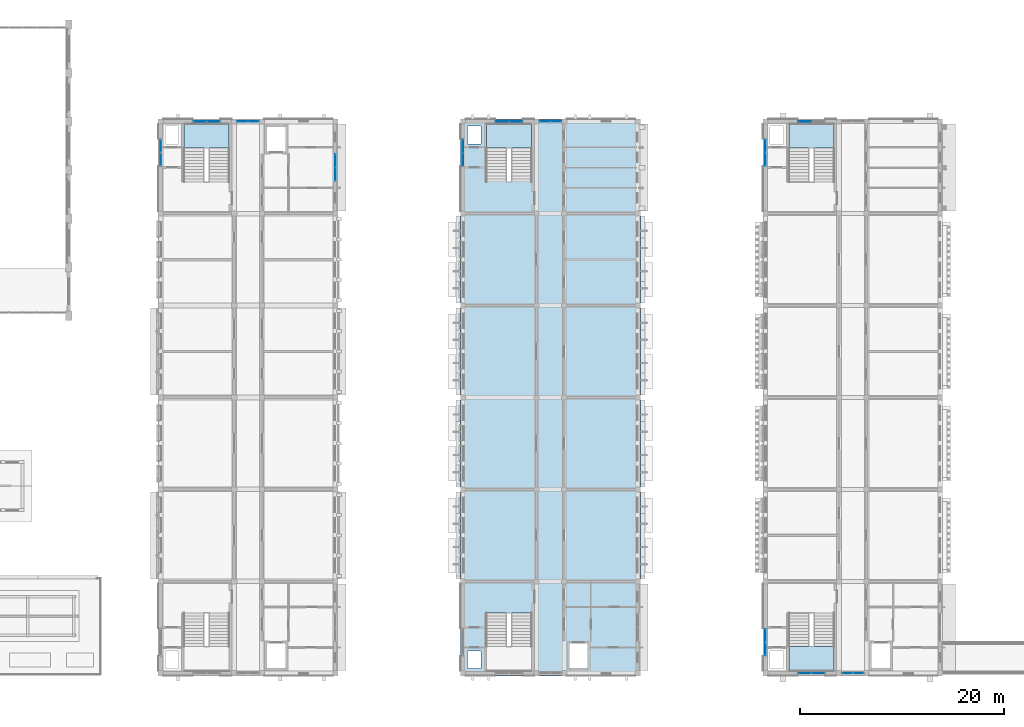
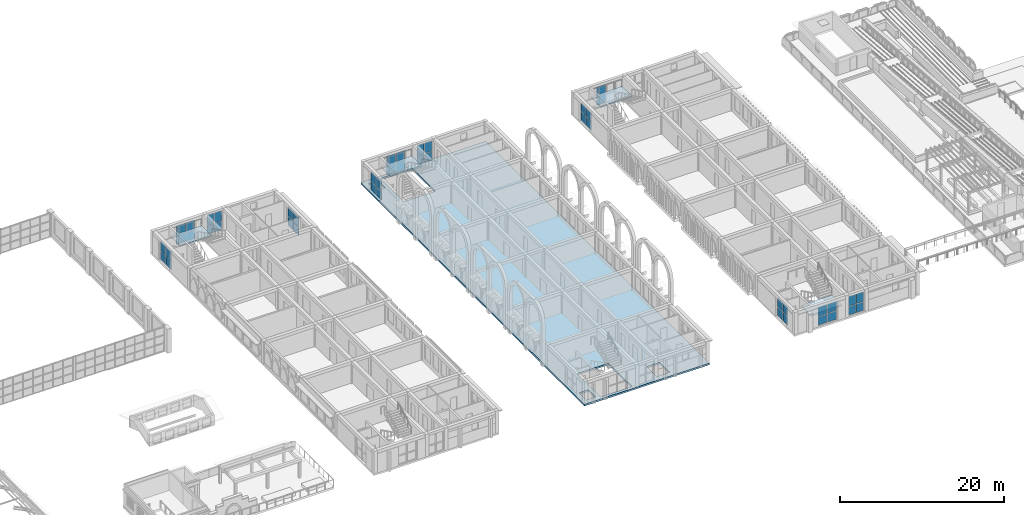
# One storey, part 31 of 70: 46 plates, 5 slabs, 16 elements without a shape of their own.
"""IFC4 building model written with IfcOpenShell, lengths in metres."""

from ifc_helpers import new_model, si_unit, direction, frame, origin, origin_2d, place, context, subcontext, project, spatial, polyline, rectangle, outline, extrude, material, layer, layer_set, type_object, element, aggregate, save


model = new_model("IFC4")

# Units and contexts
model_context = context("Model", 3, precision=1e-05, world=origin(), true_north=direction((0.0, 1.0)))
body_context = subcontext(model_context, "Body", "Model", "MODEL_VIEW")
ifc_project = project(units=[si_unit("LENGTHUNIT", "METRE"), si_unit("AREAUNIT", "SQUARE_METRE"), si_unit("VOLUMEUNIT", "CUBIC_METRE"), si_unit("PLANEANGLEUNIT", "RADIAN"), si_unit("MASSUNIT", "GRAM", prefix="KILO")], contexts=[model_context])

# Site, building, storey
site_placement = place(None, origin())
site = spatial("IfcSite", under=ifc_project, at=site_placement, CompositionType="ELEMENT")
building_placement = place(site_placement, origin())
building = spatial("IfcBuilding", under=site, at=building_placement, Name="Elbe Cascade School", CompositionType="ELEMENT")
storey_placement = place(building_placement, frame((0.0, 0.0, 8.10009765625)))
storey = spatial("IfcBuildingStorey", under=building, at=storey_placement, Name="L02", CompositionType="ELEMENT", Elevation=8.10009765625)

# Stair, slab
ifc_material_1 = material(Name="Concrete C30/37", Category="concrete")
stair_type = type_object("IfcStairType", Name="Bar stair RC 150", PredefinedType="HALF_TURN_STAIR", material=ifc_material_1)
stair_1_placement = place(storey_placement, origin())
stair_1 = element("IfcStair", 1, at=stair_1_placement, inside=storey, type_object=stair_type, Name="Stair A2.N", PredefinedType="HALF_TURN_STAIR")
ifc_material_2 = material(Name="Concrete C30/37", Category="concrete")
ifc_layer_1 = layer(ifc_material_2, 0.199951171875)
ifc_layer_set_1 = layer_set([ifc_layer_1], Name="Concrete C30/37")
slab_type_1 = type_object("IfcSlabType", Name="Bar stair landing RC 200", PredefinedType="LANDING", material=ifc_layer_set_1)
slab_1_placement = place(storey_placement, frame((0.0, 0.0, 1.599853515625)))
slab_1 = element("IfcSlab", 2, at=slab_1_placement, type_object=slab_type_1, Name="ST3 landing 1", PredefinedType="LANDING", context=body_context, shape_type="SweptSolid", body=[
    extrude(outline(polyline([(71.300048828125, 57.39990234375), (75.699951171875, 57.39990234375), (75.699951171875, 59.820068359375), (71.300048828125, 59.820068359375), (71.300048828125, 57.39990234375)])), origin(), (0.0, 0.0, 1.0), 0.199951171875),
])
aggregate(stair_1, [slab_1])

stair_2_placement = place(storey_placement, origin())
stair_2 = element("IfcStair", 3, at=stair_2_placement, inside=storey, type_object=stair_type, Name="Stair B2.N", PredefinedType="HALF_TURN_STAIR")
slab_2_placement = place(storey_placement, frame((0.0, 0.0, 1.599853515625)))
slab_2 = element("IfcSlab", 4, at=slab_2_placement, type_object=slab_type_1, Name="ST3 landing 1", PredefinedType="LANDING", context=body_context, shape_type="SweptSolid", body=[
    extrude(outline(polyline([(100.89990234375, 57.39990234375), (105.300048828125, 57.39990234375), (105.300048828125, 59.820068359375), (100.89990234375, 59.820068359375), (100.89990234375, 57.39990234375)])), origin(), (0.0, 0.0, 1.0), 0.199951171875),
])
aggregate(stair_2, [slab_2])

stair_3_placement = place(storey_placement, origin())
stair_3 = element("IfcStair", 5, at=stair_3_placement, inside=storey, type_object=stair_type, Name="Stair C2.S", PredefinedType="HALF_TURN_STAIR")
slab_3_placement = place(storey_placement, frame((0.0, 0.0, 1.599853515625)))
slab_3 = element("IfcSlab", 6, at=slab_3_placement, type_object=slab_type_1, Name="ST3 landing 1", PredefinedType="LANDING", context=body_context, shape_type="SweptSolid", body=[
    extrude(outline(polyline([(130.5, 6.179931640625), (134.89990234375, 6.179931640625), (134.89990234375, 8.60009765625), (130.5, 8.60009765625), (130.5, 6.179931640625)])), origin(), (0.0, 0.0, 1.0), 0.199951171875),
])
aggregate(stair_3, [slab_3])

stair_4_placement = place(storey_placement, origin())
stair_4 = element("IfcStair", 7, at=stair_4_placement, inside=storey, type_object=stair_type, Name="Stair C2.N", PredefinedType="HALF_TURN_STAIR")
slab_4_placement = place(storey_placement, frame((0.0, 0.0, 1.599853515625)))
slab_4 = element("IfcSlab", 8, at=slab_4_placement, type_object=slab_type_1, Name="ST3 landing 1", PredefinedType="LANDING", context=body_context, shape_type="SweptSolid", body=[
    extrude(outline(polyline([(130.5, 57.39990234375), (134.89990234375, 57.39990234375), (134.89990234375, 59.820068359375), (130.5, 59.820068359375), (130.5, 57.39990234375)])), origin(), (0.0, 0.0, 1.0), 0.199951171875),
])
aggregate(stair_4, [slab_4])

# Curtain wall, plates
ifc_material_3 = material(Name="Aluminium frame with double glazing, bronze anodised", Category="aluminium")
ifc_layer_2 = layer(ifc_material_3, 0.159912109375)
ifc_layer_set_2 = layer_set([ifc_layer_2], Name="Aluminium frame with double glazing, bronze anodised")
curtain_wall_type = type_object("IfcCurtainWallType", Name="Bars envelope Curtain wall, aluminium, bronze anodised, storey-high slot", PredefinedType="NOTDEFINED", material=ifc_layer_set_2)
curtain_wall_1_placement = place(storey_placement, origin())
curtain_wall_1 = element("IfcCurtainWall", 9, at=curtain_wall_1_placement, inside=storey, type_object=curtain_wall_type, Name="Curtain wall CW4 A.L02.w6", PredefinedType="NOTDEFINED")
ifc_material_4 = material(Name="Glass - double glazed low-E", Category="glass")
ifc_layer_3 = layer(ifc_material_4, 0.028076171875)
ifc_layer_set_3 = layer_set([ifc_layer_3], Name="Glass - double glazed low-E")
plate_type = type_object("IfcPlateType", Name="Bars envelope Curtain wall glazing panel 28 mm, double glazed, storey-high slot", PredefinedType="CURTAIN_PANEL", material=ifc_layer_set_3)
plate_1_placement = place(storey_placement, frame((69.0, 56.300048828125, 0.06005859375), z_axis=(0.0, 0.0, 1.0), x_axis=(0.0, 1.0, 0.0)))
plate_1 = element("IfcPlate", 10, at=plate_1_placement, type_object=plate_type, Name="CW4 panel 1.1", PredefinedType="CURTAIN_PANEL", context=body_context, shape_type="SweptSolid", body=[
    extrude(rectangle(XDim=1.260009765625, YDim=0.028076171875, at=origin_2d()), origin(), (0.0, 0.0, 1.0), 1.260009765625),
])
plate_2_placement = place(storey_placement, frame((69.0, 56.300048828125, 1.3798828125), z_axis=(0.0, 0.0, 1.0), x_axis=(0.0, 1.0, 0.0)))
plate_2 = element("IfcPlate", 11, at=plate_2_placement, type_object=plate_type, Name="CW4 panel 1.2", PredefinedType="CURTAIN_PANEL", context=body_context, shape_type="SweptSolid", body=[
    extrude(rectangle(XDim=1.260009765625, YDim=0.028076171875, at=origin_2d()), origin(), (0.0, 0.0, 1.0), 1.409912109375),
])
plate_3_placement = place(storey_placement, frame((69.0, 57.6201171875, 0.06005859375), z_axis=(0.0, 0.0, 1.0), x_axis=(0.0, 1.0, 0.0)))
plate_3 = element("IfcPlate", 12, at=plate_3_placement, type_object=plate_type, Name="CW4 panel 2.1", PredefinedType="CURTAIN_PANEL", context=body_context, shape_type="SweptSolid", body=[
    extrude(rectangle(XDim=1.260009765625, YDim=0.028076171875, at=origin_2d()), origin(), (0.0, 0.0, 1.0), 1.260009765625),
])
plate_4_placement = place(storey_placement, frame((69.0, 57.6201171875, 1.3798828125), z_axis=(0.0, 0.0, 1.0), x_axis=(0.0, 1.0, 0.0)))
plate_4 = element("IfcPlate", 13, at=plate_4_placement, type_object=plate_type, Name="CW4 panel 2.2", PredefinedType="CURTAIN_PANEL", context=body_context, shape_type="SweptSolid", body=[
    extrude(rectangle(XDim=1.260009765625, YDim=0.028076171875, at=origin_2d()), origin(), (0.0, 0.0, 1.0), 1.409912109375),
])
aggregate(curtain_wall_1, [plate_1, plate_2, plate_3, plate_4])

curtain_wall_2_placement = place(storey_placement, origin())
curtain_wall_2 = element("IfcCurtainWall", 14, at=curtain_wall_2_placement, inside=storey, type_object=curtain_wall_type, Name="Curtain wall CW4 A.L02.e6", PredefinedType="NOTDEFINED")
plate_5_placement = place(storey_placement, frame((86.10009765625, 56.159912109375, 0.06005859375), z_axis=(0.0, 0.0, 1.0), x_axis=(0.0, -1.0, 0.0)))
plate_5 = element("IfcPlate", 15, at=plate_5_placement, type_object=plate_type, Name="CW4 panel 1.1", PredefinedType="CURTAIN_PANEL", context=body_context, shape_type="SweptSolid", body=[
    extrude(rectangle(XDim=1.260009765625, YDim=0.028076171875, at=origin_2d()), origin(), (0.0, 0.0, 1.0), 1.260009765625),
])
plate_6_placement = place(storey_placement, frame((86.10009765625, 56.159912109375, 1.3798828125), z_axis=(0.0, 0.0, 1.0), x_axis=(0.0, -1.0, 0.0)))
plate_6 = element("IfcPlate", 16, at=plate_6_placement, type_object=plate_type, Name="CW4 panel 1.2", PredefinedType="CURTAIN_PANEL", context=body_context, shape_type="SweptSolid", body=[
    extrude(rectangle(XDim=1.260009765625, YDim=0.028076171875, at=origin_2d()), origin(), (0.0, 0.0, 1.0), 1.409912109375),
])
plate_7_placement = place(storey_placement, frame((86.10009765625, 54.840087890625, 0.06005859375), z_axis=(0.0, 0.0, 1.0), x_axis=(0.0, -1.0, 0.0)))
plate_7 = element("IfcPlate", 17, at=plate_7_placement, type_object=plate_type, Name="CW4 panel 2.1", PredefinedType="CURTAIN_PANEL", context=body_context, shape_type="SweptSolid", body=[
    extrude(rectangle(XDim=1.260009765625, YDim=0.028076171875, at=origin_2d()), origin(), (0.0, 0.0, 1.0), 1.260009765625),
])
plate_8_placement = place(storey_placement, frame((86.10009765625, 54.840087890625, 1.3798828125), z_axis=(0.0, 0.0, 1.0), x_axis=(0.0, -1.0, 0.0)))
plate_8 = element("IfcPlate", 18, at=plate_8_placement, type_object=plate_type, Name="CW4 panel 2.2", PredefinedType="CURTAIN_PANEL", context=body_context, shape_type="SweptSolid", body=[
    extrude(rectangle(XDim=1.260009765625, YDim=0.028076171875, at=origin_2d()), origin(), (0.0, 0.0, 1.0), 1.409912109375),
])
aggregate(curtain_wall_2, [plate_5, plate_6, plate_7, plate_8])

curtain_wall_3_placement = place(storey_placement, origin())
curtain_wall_3 = element("IfcCurtainWall", 19, at=curtain_wall_3_placement, inside=storey, type_object=curtain_wall_type, Name="Curtain wall CW4 A.L02.n1", PredefinedType="NOTDEFINED")
plate_9_placement = place(storey_placement, frame((72.840087890625, 60.0, 0.06005859375), z_axis=(0.0, 0.0, 1.0), x_axis=(1.0, 0.0, 0.0)))
plate_9 = element("IfcPlate", 20, at=plate_9_placement, type_object=plate_type, Name="CW4 panel 1.1", PredefinedType="CURTAIN_PANEL", context=body_context, shape_type="SweptSolid", body=[
    extrude(rectangle(XDim=1.260009765625, YDim=0.028076171875, at=origin_2d()), origin(), (0.0, 0.0, 1.0), 1.260009765625),
])
plate_10_placement = place(storey_placement, frame((72.840087890625, 60.0, 1.3798828125), z_axis=(0.0, 0.0, 1.0), x_axis=(1.0, 0.0, 0.0)))
plate_10 = element("IfcPlate", 21, at=plate_10_placement, type_object=plate_type, Name="CW4 panel 1.2", PredefinedType="CURTAIN_PANEL", context=body_context, shape_type="SweptSolid", body=[
    extrude(rectangle(XDim=1.260009765625, YDim=0.028076171875, at=origin_2d()), origin(), (0.0, 0.0, 1.0), 1.4599609375),
])
plate_11_placement = place(storey_placement, frame((74.159912109375, 60.0, 0.06005859375), z_axis=(0.0, 0.0, 1.0), x_axis=(1.0, 0.0, 0.0)))
plate_11 = element("IfcPlate", 22, at=plate_11_placement, type_object=plate_type, Name="CW4 panel 2.1", PredefinedType="CURTAIN_PANEL", context=body_context, shape_type="SweptSolid", body=[
    extrude(rectangle(XDim=1.260009765625, YDim=0.028076171875, at=origin_2d()), origin(), (0.0, 0.0, 1.0), 1.260009765625),
])
plate_12_placement = place(storey_placement, frame((74.159912109375, 60.0, 1.3798828125), z_axis=(0.0, 0.0, 1.0), x_axis=(1.0, 0.0, 0.0)))
plate_12 = element("IfcPlate", 23, at=plate_12_placement, type_object=plate_type, Name="CW4 panel 2.2", PredefinedType="CURTAIN_PANEL", context=body_context, shape_type="SweptSolid", body=[
    extrude(rectangle(XDim=1.260009765625, YDim=0.028076171875, at=origin_2d()), origin(), (0.0, 0.0, 1.0), 1.4599609375),
])
aggregate(curtain_wall_3, [plate_9, plate_10, plate_11, plate_12])

curtain_wall_4_placement = place(storey_placement, origin())
curtain_wall_4 = element("IfcCurtainWall", 24, at=curtain_wall_4_placement, inside=storey, type_object=curtain_wall_type, Name="Curtain wall CW4 A.L02.n2", PredefinedType="NOTDEFINED")
plate_13_placement = place(storey_placement, frame((77.014892578125, 60.0, 0.06005859375), z_axis=(0.0, 0.0, 1.0), x_axis=(1.0, 0.0, 0.0)))
plate_13 = element("IfcPlate", 25, at=plate_13_placement, type_object=plate_type, Name="CW4 panel 1.1", PredefinedType="CURTAIN_PANEL", context=body_context, shape_type="SweptSolid", body=[
    extrude(rectangle(XDim=1.010009765625, YDim=0.028076171875, at=origin_2d()), origin(), (0.0, 0.0, 1.0), 1.260009765625),
])
plate_14_placement = place(storey_placement, frame((77.014892578125, 60.0, 1.3798828125), z_axis=(0.0, 0.0, 1.0), x_axis=(1.0, 0.0, 0.0)))
plate_14 = element("IfcPlate", 26, at=plate_14_placement, type_object=plate_type, Name="CW4 panel 1.2", PredefinedType="CURTAIN_PANEL", context=body_context, shape_type="SweptSolid", body=[
    extrude(rectangle(XDim=1.010009765625, YDim=0.028076171875, at=origin_2d()), origin(), (0.0, 0.0, 1.0), 1.56005859375),
])
plate_15_placement = place(storey_placement, frame((78.0849609375, 60.0, 0.06005859375), z_axis=(0.0, 0.0, 1.0), x_axis=(1.0, 0.0, 0.0)))
plate_15 = element("IfcPlate", 27, at=plate_15_placement, type_object=plate_type, Name="CW4 panel 2.1", PredefinedType="CURTAIN_PANEL", context=body_context, shape_type="SweptSolid", body=[
    extrude(rectangle(XDim=1.010009765625, YDim=0.028076171875, at=origin_2d()), origin(), (0.0, 0.0, 1.0), 1.260009765625),
])
plate_16_placement = place(storey_placement, frame((78.0849609375, 60.0, 1.3798828125), z_axis=(0.0, 0.0, 1.0), x_axis=(1.0, 0.0, 0.0)))
plate_16 = element("IfcPlate", 28, at=plate_16_placement, type_object=plate_type, Name="CW4 panel 2.2", PredefinedType="CURTAIN_PANEL", context=body_context, shape_type="SweptSolid", body=[
    extrude(rectangle(XDim=1.010009765625, YDim=0.028076171875, at=origin_2d()), origin(), (0.0, 0.0, 1.0), 1.56005859375),
])
aggregate(curtain_wall_4, [plate_13, plate_14, plate_15, plate_16])

curtain_wall_5_placement = place(storey_placement, origin())
curtain_wall_5 = element("IfcCurtainWall", 29, at=curtain_wall_5_placement, inside=storey, type_object=curtain_wall_type, Name="Curtain wall CW4 B.L02.w6", PredefinedType="NOTDEFINED")
plate_17_placement = place(storey_placement, frame((98.60009765625, 56.300048828125, 0.06005859375), z_axis=(0.0, 0.0, 1.0), x_axis=(0.0, 1.0, 0.0)))
plate_17 = element("IfcPlate", 30, at=plate_17_placement, type_object=plate_type, Name="CW4 panel 1.1", PredefinedType="CURTAIN_PANEL", context=body_context, shape_type="SweptSolid", body=[
    extrude(rectangle(XDim=1.260009765625, YDim=0.028076171875, at=origin_2d()), origin(), (0.0, 0.0, 1.0), 1.260009765625),
])
plate_18_placement = place(storey_placement, frame((98.60009765625, 56.300048828125, 1.3798828125), z_axis=(0.0, 0.0, 1.0), x_axis=(0.0, 1.0, 0.0)))
plate_18 = element("IfcPlate", 31, at=plate_18_placement, type_object=plate_type, Name="CW4 panel 1.2", PredefinedType="CURTAIN_PANEL", context=body_context, shape_type="SweptSolid", body=[
    extrude(rectangle(XDim=1.260009765625, YDim=0.028076171875, at=origin_2d()), origin(), (0.0, 0.0, 1.0), 1.409912109375),
])
plate_19_placement = place(storey_placement, frame((98.60009765625, 57.6201171875, 0.06005859375), z_axis=(0.0, 0.0, 1.0), x_axis=(0.0, 1.0, 0.0)))
plate_19 = element("IfcPlate", 32, at=plate_19_placement, type_object=plate_type, Name="CW4 panel 2.1", PredefinedType="CURTAIN_PANEL", context=body_context, shape_type="SweptSolid", body=[
    extrude(rectangle(XDim=1.260009765625, YDim=0.028076171875, at=origin_2d()), origin(), (0.0, 0.0, 1.0), 1.260009765625),
])
plate_20_placement = place(storey_placement, frame((98.60009765625, 57.6201171875, 1.3798828125), z_axis=(0.0, 0.0, 1.0), x_axis=(0.0, 1.0, 0.0)))
plate_20 = element("IfcPlate", 33, at=plate_20_placement, type_object=plate_type, Name="CW4 panel 2.2", PredefinedType="CURTAIN_PANEL", context=body_context, shape_type="SweptSolid", body=[
    extrude(rectangle(XDim=1.260009765625, YDim=0.028076171875, at=origin_2d()), origin(), (0.0, 0.0, 1.0), 1.409912109375),
])
aggregate(curtain_wall_5, [plate_17, plate_18, plate_19, plate_20])

curtain_wall_6_placement = place(storey_placement, origin())
curtain_wall_6 = element("IfcCurtainWall", 34, at=curtain_wall_6_placement, inside=storey, type_object=curtain_wall_type, Name="Curtain wall CW4 B.L02.n1", PredefinedType="NOTDEFINED")
plate_21_placement = place(storey_placement, frame((102.43994140625, 60.0, 0.06005859375), z_axis=(0.0, 0.0, 1.0), x_axis=(1.0, 0.0, 0.0)))
plate_21 = element("IfcPlate", 35, at=plate_21_placement, type_object=plate_type, Name="CW4 panel 1.1", PredefinedType="CURTAIN_PANEL", context=body_context, shape_type="SweptSolid", body=[
    extrude(rectangle(XDim=1.260009765625, YDim=0.028076171875, at=origin_2d()), origin(), (0.0, 0.0, 1.0), 1.260009765625),
])
plate_22_placement = place(storey_placement, frame((102.43994140625, 60.0, 1.3798828125), z_axis=(0.0, 0.0, 1.0), x_axis=(1.0, 0.0, 0.0)))
plate_22 = element("IfcPlate", 36, at=plate_22_placement, type_object=plate_type, Name="CW4 panel 1.2", PredefinedType="CURTAIN_PANEL", context=body_context, shape_type="SweptSolid", body=[
    extrude(rectangle(XDim=1.260009765625, YDim=0.028076171875, at=origin_2d()), origin(), (0.0, 0.0, 1.0), 1.4599609375),
])
plate_23_placement = place(storey_placement, frame((103.760009765625, 60.0, 0.06005859375), z_axis=(0.0, 0.0, 1.0), x_axis=(1.0, 0.0, 0.0)))
plate_23 = element("IfcPlate", 37, at=plate_23_placement, type_object=plate_type, Name="CW4 panel 2.1", PredefinedType="CURTAIN_PANEL", context=body_context, shape_type="SweptSolid", body=[
    extrude(rectangle(XDim=1.260009765625, YDim=0.028076171875, at=origin_2d()), origin(), (0.0, 0.0, 1.0), 1.260009765625),
])
plate_24_placement = place(storey_placement, frame((103.760009765625, 60.0, 1.3798828125), z_axis=(0.0, 0.0, 1.0), x_axis=(1.0, 0.0, 0.0)))
plate_24 = element("IfcPlate", 38, at=plate_24_placement, type_object=plate_type, Name="CW4 panel 2.2", PredefinedType="CURTAIN_PANEL", context=body_context, shape_type="SweptSolid", body=[
    extrude(rectangle(XDim=1.260009765625, YDim=0.028076171875, at=origin_2d()), origin(), (0.0, 0.0, 1.0), 1.4599609375),
])
aggregate(curtain_wall_6, [plate_21, plate_22, plate_23, plate_24])

curtain_wall_7_placement = place(storey_placement, origin())
curtain_wall_7 = element("IfcCurtainWall", 39, at=curtain_wall_7_placement, inside=storey, type_object=curtain_wall_type, Name="Curtain wall CW4 B.L02.n2", PredefinedType="NOTDEFINED")
plate_25_placement = place(storey_placement, frame((106.614990234375, 60.0, 0.06005859375), z_axis=(0.0, 0.0, 1.0), x_axis=(1.0, 0.0, 0.0)))
plate_25 = element("IfcPlate", 40, at=plate_25_placement, type_object=plate_type, Name="CW4 panel 1.1", PredefinedType="CURTAIN_PANEL", context=body_context, shape_type="SweptSolid", body=[
    extrude(rectangle(XDim=1.010009765625, YDim=0.028076171875, at=origin_2d()), origin(), (0.0, 0.0, 1.0), 1.260009765625),
])
plate_26_placement = place(storey_placement, frame((106.614990234375, 60.0, 1.3798828125), z_axis=(0.0, 0.0, 1.0), x_axis=(1.0, 0.0, 0.0)))
plate_26 = element("IfcPlate", 41, at=plate_26_placement, type_object=plate_type, Name="CW4 panel 1.2", PredefinedType="CURTAIN_PANEL", context=body_context, shape_type="SweptSolid", body=[
    extrude(rectangle(XDim=1.010009765625, YDim=0.028076171875, at=origin_2d()), origin(), (0.0, 0.0, 1.0), 1.56005859375),
])
plate_27_placement = place(storey_placement, frame((107.68505859375, 60.0, 0.06005859375), z_axis=(0.0, 0.0, 1.0), x_axis=(1.0, 0.0, 0.0)))
plate_27 = element("IfcPlate", 42, at=plate_27_placement, type_object=plate_type, Name="CW4 panel 2.1", PredefinedType="CURTAIN_PANEL", context=body_context, shape_type="SweptSolid", body=[
    extrude(rectangle(XDim=1.010009765625, YDim=0.028076171875, at=origin_2d()), origin(), (0.0, 0.0, 1.0), 1.260009765625),
])
plate_28_placement = place(storey_placement, frame((107.68505859375, 60.0, 1.3798828125), z_axis=(0.0, 0.0, 1.0), x_axis=(1.0, 0.0, 0.0)))
plate_28 = element("IfcPlate", 43, at=plate_28_placement, type_object=plate_type, Name="CW4 panel 2.2", PredefinedType="CURTAIN_PANEL", context=body_context, shape_type="SweptSolid", body=[
    extrude(rectangle(XDim=1.010009765625, YDim=0.028076171875, at=origin_2d()), origin(), (0.0, 0.0, 1.0), 1.56005859375),
])
aggregate(curtain_wall_7, [plate_25, plate_26, plate_27, plate_28])

curtain_wall_8_placement = place(storey_placement, origin())
curtain_wall_8 = element("IfcCurtainWall", 44, at=curtain_wall_8_placement, inside=storey, type_object=curtain_wall_type, Name="Curtain wall CW4 C.L02.w1", PredefinedType="NOTDEFINED")
plate_29_placement = place(storey_placement, frame((128.199951171875, 8.3798828125, 0.06005859375), z_axis=(0.0, 0.0, 1.0), x_axis=(0.0, 1.0, 0.0)))
plate_29 = element("IfcPlate", 45, at=plate_29_placement, type_object=plate_type, Name="CW4 panel 1.1", PredefinedType="CURTAIN_PANEL", context=body_context, shape_type="SweptSolid", body=[
    extrude(rectangle(XDim=1.260009765625, YDim=0.028076171875, at=origin_2d()), origin(), (0.0, 0.0, 1.0), 1.260009765625),
])
plate_30_placement = place(storey_placement, frame((128.199951171875, 8.3798828125, 1.3798828125), z_axis=(0.0, 0.0, 1.0), x_axis=(0.0, 1.0, 0.0)))
plate_30 = element("IfcPlate", 46, at=plate_30_placement, type_object=plate_type, Name="CW4 panel 1.2", PredefinedType="CURTAIN_PANEL", context=body_context, shape_type="SweptSolid", body=[
    extrude(rectangle(XDim=1.260009765625, YDim=0.028076171875, at=origin_2d()), origin(), (0.0, 0.0, 1.0), 1.31005859375),
])
plate_31_placement = place(storey_placement, frame((128.199951171875, 9.699951171875, 0.06005859375), z_axis=(0.0, 0.0, 1.0), x_axis=(0.0, 1.0, 0.0)))
plate_31 = element("IfcPlate", 47, at=plate_31_placement, type_object=plate_type, Name="CW4 panel 2.1", PredefinedType="CURTAIN_PANEL", context=body_context, shape_type="SweptSolid", body=[
    extrude(rectangle(XDim=1.260009765625, YDim=0.028076171875, at=origin_2d()), origin(), (0.0, 0.0, 1.0), 1.260009765625),
])
plate_32_placement = place(storey_placement, frame((128.199951171875, 9.699951171875, 1.3798828125), z_axis=(0.0, 0.0, 1.0), x_axis=(0.0, 1.0, 0.0)))
plate_32 = element("IfcPlate", 48, at=plate_32_placement, type_object=plate_type, Name="CW4 panel 2.2", PredefinedType="CURTAIN_PANEL", context=body_context, shape_type="SweptSolid", body=[
    extrude(rectangle(XDim=1.260009765625, YDim=0.028076171875, at=origin_2d()), origin(), (0.0, 0.0, 1.0), 1.31005859375),
])
aggregate(curtain_wall_8, [plate_29, plate_30, plate_31, plate_32])

curtain_wall_9_placement = place(storey_placement, origin())
curtain_wall_9 = element("IfcCurtainWall", 49, at=curtain_wall_9_placement, inside=storey, type_object=curtain_wall_type, Name="Curtain wall CW4 C.L02.w6", PredefinedType="NOTDEFINED")
plate_33_placement = place(storey_placement, frame((128.199951171875, 56.300048828125, 0.06005859375), z_axis=(0.0, 0.0, 1.0), x_axis=(0.0, 1.0, 0.0)))
plate_33 = element("IfcPlate", 50, at=plate_33_placement, type_object=plate_type, Name="CW4 panel 1.1", PredefinedType="CURTAIN_PANEL", context=body_context, shape_type="SweptSolid", body=[
    extrude(rectangle(XDim=1.260009765625, YDim=0.028076171875, at=origin_2d()), origin(), (0.0, 0.0, 1.0), 1.260009765625),
])
plate_34_placement = place(storey_placement, frame((128.199951171875, 56.300048828125, 1.3798828125), z_axis=(0.0, 0.0, 1.0), x_axis=(0.0, 1.0, 0.0)))
plate_34 = element("IfcPlate", 51, at=plate_34_placement, type_object=plate_type, Name="CW4 panel 1.2", PredefinedType="CURTAIN_PANEL", context=body_context, shape_type="SweptSolid", body=[
    extrude(rectangle(XDim=1.260009765625, YDim=0.028076171875, at=origin_2d()), origin(), (0.0, 0.0, 1.0), 1.31005859375),
])
plate_35_placement = place(storey_placement, frame((128.199951171875, 57.6201171875, 0.06005859375), z_axis=(0.0, 0.0, 1.0), x_axis=(0.0, 1.0, 0.0)))
plate_35 = element("IfcPlate", 52, at=plate_35_placement, type_object=plate_type, Name="CW4 panel 2.1", PredefinedType="CURTAIN_PANEL", context=body_context, shape_type="SweptSolid", body=[
    extrude(rectangle(XDim=1.260009765625, YDim=0.028076171875, at=origin_2d()), origin(), (0.0, 0.0, 1.0), 1.260009765625),
])
plate_36_placement = place(storey_placement, frame((128.199951171875, 57.6201171875, 1.3798828125), z_axis=(0.0, 0.0, 1.0), x_axis=(0.0, 1.0, 0.0)))
plate_36 = element("IfcPlate", 53, at=plate_36_placement, type_object=plate_type, Name="CW4 panel 2.2", PredefinedType="CURTAIN_PANEL", context=body_context, shape_type="SweptSolid", body=[
    extrude(rectangle(XDim=1.260009765625, YDim=0.028076171875, at=origin_2d()), origin(), (0.0, 0.0, 1.0), 1.31005859375),
])
aggregate(curtain_wall_9, [plate_33, plate_34, plate_35, plate_36])

curtain_wall_10_placement = place(storey_placement, origin())
curtain_wall_10 = element("IfcCurtainWall", 54, at=curtain_wall_10_placement, inside=storey, type_object=curtain_wall_type, Name="Curtain wall CW4 C.L02.s1", PredefinedType="NOTDEFINED")
plate_37_placement = place(storey_placement, frame((133.360107421875, 6.0, 0.06005859375), z_axis=(0.0, 0.0, 1.0), x_axis=(-1.0, 0.0, 0.0)))
plate_37 = element("IfcPlate", 55, at=plate_37_placement, type_object=plate_type, Name="CW4 panel 1.1", PredefinedType="CURTAIN_PANEL", context=body_context, shape_type="SweptSolid", body=[
    extrude(rectangle(XDim=1.260009765625, YDim=0.028076171875, at=origin_2d()), origin(), (0.0, 0.0, 1.0), 1.260009765625),
])
plate_38_placement = place(storey_placement, frame((133.360107421875, 6.0, 1.3798828125), z_axis=(0.0, 0.0, 1.0), x_axis=(-1.0, 0.0, 0.0)))
plate_38 = element("IfcPlate", 56, at=plate_38_placement, type_object=plate_type, Name="CW4 panel 1.2", PredefinedType="CURTAIN_PANEL", context=body_context, shape_type="SweptSolid", body=[
    extrude(rectangle(XDim=1.260009765625, YDim=0.028076171875, at=origin_2d()), origin(), (0.0, 0.0, 1.0), 1.360107421875),
])
plate_39_placement = place(storey_placement, frame((132.0400390625, 6.0, 0.06005859375), z_axis=(0.0, 0.0, 1.0), x_axis=(-1.0, 0.0, 0.0)))
plate_39 = element("IfcPlate", 57, at=plate_39_placement, type_object=plate_type, Name="CW4 panel 2.1", PredefinedType="CURTAIN_PANEL", context=body_context, shape_type="SweptSolid", body=[
    extrude(rectangle(XDim=1.260009765625, YDim=0.028076171875, at=origin_2d()), origin(), (0.0, 0.0, 1.0), 1.260009765625),
])
plate_40_placement = place(storey_placement, frame((132.0400390625, 6.0, 1.3798828125), z_axis=(0.0, 0.0, 1.0), x_axis=(-1.0, 0.0, 0.0)))
plate_40 = element("IfcPlate", 58, at=plate_40_placement, type_object=plate_type, Name="CW4 panel 2.2", PredefinedType="CURTAIN_PANEL", context=body_context, shape_type="SweptSolid", body=[
    extrude(rectangle(XDim=1.260009765625, YDim=0.028076171875, at=origin_2d()), origin(), (0.0, 0.0, 1.0), 1.360107421875),
])
aggregate(curtain_wall_10, [plate_37, plate_38, plate_39, plate_40])

curtain_wall_11_placement = place(storey_placement, origin())
curtain_wall_11 = element("IfcCurtainWall", 59, at=curtain_wall_11_placement, inside=storey, type_object=curtain_wall_type, Name="Curtain wall CW4 C.L02.s2", PredefinedType="NOTDEFINED")
plate_41_placement = place(storey_placement, frame((137.284912109375, 6.0, 0.06005859375), z_axis=(0.0, 0.0, 1.0), x_axis=(-1.0, 0.0, 0.0)))
plate_41 = element("IfcPlate", 60, at=plate_41_placement, type_object=plate_type, Name="CW4 panel 1.1", PredefinedType="CURTAIN_PANEL", context=body_context, shape_type="SweptSolid", body=[
    extrude(rectangle(XDim=1.010009765625, YDim=0.028076171875, at=origin_2d()), origin(), (0.0, 0.0, 1.0), 1.260009765625),
])
plate_42_placement = place(storey_placement, frame((137.284912109375, 6.0, 1.3798828125), z_axis=(0.0, 0.0, 1.0), x_axis=(-1.0, 0.0, 0.0)))
plate_42 = element("IfcPlate", 61, at=plate_42_placement, type_object=plate_type, Name="CW4 panel 1.2", PredefinedType="CURTAIN_PANEL", context=body_context, shape_type="SweptSolid", body=[
    extrude(rectangle(XDim=1.010009765625, YDim=0.028076171875, at=origin_2d()), origin(), (0.0, 0.0, 1.0), 1.4599609375),
])
plate_43_placement = place(storey_placement, frame((136.215087890625, 6.0, 0.06005859375), z_axis=(0.0, 0.0, 1.0), x_axis=(-1.0, 0.0, 0.0)))
plate_43 = element("IfcPlate", 62, at=plate_43_placement, type_object=plate_type, Name="CW4 panel 2.1", PredefinedType="CURTAIN_PANEL", context=body_context, shape_type="SweptSolid", body=[
    extrude(rectangle(XDim=1.010009765625, YDim=0.028076171875, at=origin_2d()), origin(), (0.0, 0.0, 1.0), 1.260009765625),
])
plate_44_placement = place(storey_placement, frame((136.215087890625, 6.0, 1.3798828125), z_axis=(0.0, 0.0, 1.0), x_axis=(-1.0, 0.0, 0.0)))
plate_44 = element("IfcPlate", 63, at=plate_44_placement, type_object=plate_type, Name="CW4 panel 2.2", PredefinedType="CURTAIN_PANEL", context=body_context, shape_type="SweptSolid", body=[
    extrude(rectangle(XDim=1.010009765625, YDim=0.028076171875, at=origin_2d()), origin(), (0.0, 0.0, 1.0), 1.4599609375),
])
aggregate(curtain_wall_11, [plate_41, plate_42, plate_43, plate_44])

curtain_wall_12_placement = place(storey_placement, origin())
curtain_wall_12 = element("IfcCurtainWall", 64, at=curtain_wall_12_placement, inside=storey, type_object=curtain_wall_type, Name="Curtain wall CW4 C.L02.n1", PredefinedType="NOTDEFINED")
plate_45_placement = place(storey_placement, frame((132.0400390625, 60.0, 0.06005859375), z_axis=(0.0, 0.0, 1.0), x_axis=(1.0, 0.0, 0.0)))
plate_45 = element("IfcPlate", 65, at=plate_45_placement, type_object=plate_type, Name="CW4 panel 1.1", PredefinedType="CURTAIN_PANEL", context=body_context, shape_type="SweptSolid", body=[
    extrude(rectangle(XDim=1.260009765625, YDim=0.028076171875, at=origin_2d()), origin(), (0.0, 0.0, 1.0), 1.260009765625),
])
plate_46_placement = place(storey_placement, frame((132.0400390625, 60.0, 1.3798828125), z_axis=(0.0, 0.0, 1.0), x_axis=(1.0, 0.0, 0.0)))
plate_46 = element("IfcPlate", 66, at=plate_46_placement, type_object=plate_type, Name="CW4 panel 1.2", PredefinedType="CURTAIN_PANEL", context=body_context, shape_type="SweptSolid", body=[
    extrude(rectangle(XDim=1.260009765625, YDim=0.028076171875, at=origin_2d()), origin(), (0.0, 0.0, 1.0), 1.360107421875),
])
aggregate(curtain_wall_12, [plate_45, plate_46])

# Slab
ifc_material_5 = material(Name="Concrete C30/37", Category="concrete")
ifc_layer_4 = layer(ifc_material_5, 0.25)
ifc_layer_set_4 = layer_set([ifc_layer_4], Name="Concrete C30/37")
slab_type_2 = type_object("IfcSlabType", Name="Floor slab 250", PredefinedType="FLOOR", material=ifc_layer_set_4)
slab_5_placement = place(storey_placement, frame((0.0, 0.0, -0.25)))
element("IfcSlab", 67, at=slab_5_placement, inside=storey, type_object=slab_type_2, Name="Floor slab 250 S2", PredefinedType="FLOOR", context=body_context, shape_type="SweptSolid", body=[
    extrude(outline(polyline([(98.35009765625, 5.75), (115.949951171875, 5.75), (115.949951171875, 60.25), (98.35009765625, 60.25), (98.35009765625, 5.75)]), holes=[polyline([(100.89990234375, 6.179931640625), (105.300048828125, 6.179931640625), (105.300048828125, 11.8798828125), (100.89990234375, 11.8798828125), (100.89990234375, 6.179931640625)]), polyline([(109.0, 6.5), (110.800048828125, 6.5), (110.800048828125, 8.89990234375), (109.0, 8.89990234375), (109.0, 6.5)]), polyline([(100.89990234375, 54.1201171875), (105.300048828125, 54.1201171875), (105.300048828125, 59.820068359375), (100.89990234375, 59.820068359375), (100.89990234375, 54.1201171875)]), polyline([(99.050048828125, 6.449951171875), (100.35009765625, 6.449951171875), (100.35009765625, 8.199951171875), (99.050048828125, 8.199951171875), (99.050048828125, 6.449951171875)]), polyline([(99.050048828125, 57.800048828125), (100.35009765625, 57.800048828125), (100.35009765625, 59.550048828125), (99.050048828125, 59.550048828125), (99.050048828125, 57.800048828125)])]), origin(), (0.0, 0.0, 1.0), 0.25),
])

save(model, "model.ifc")
